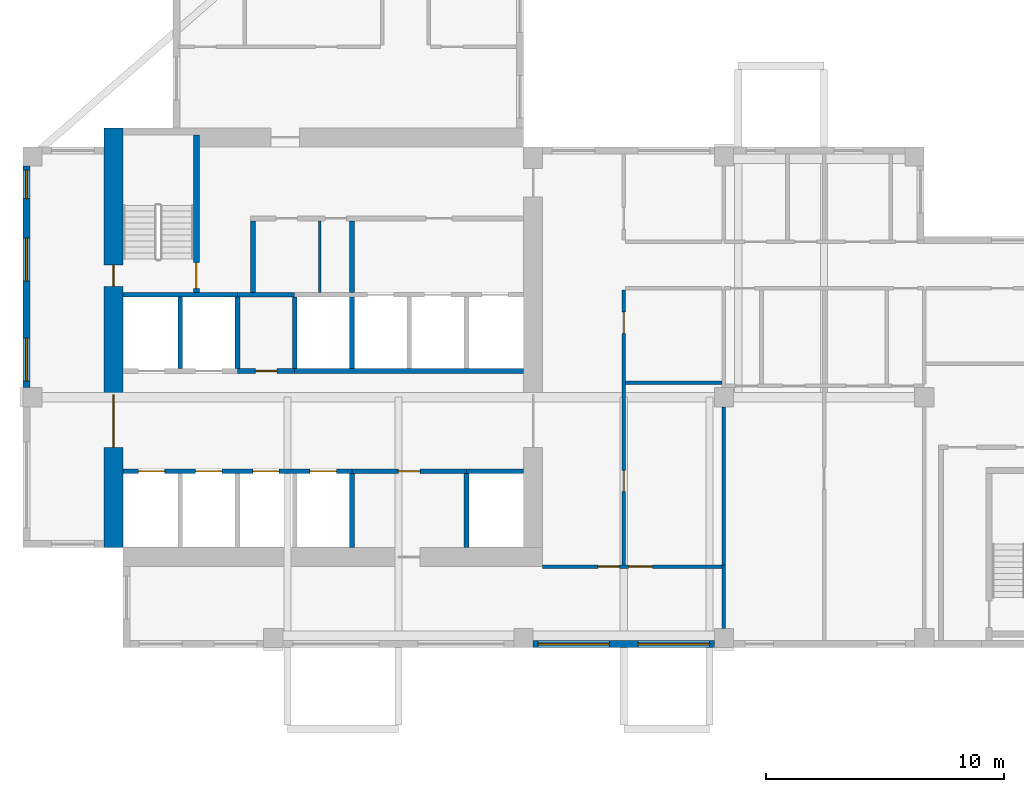
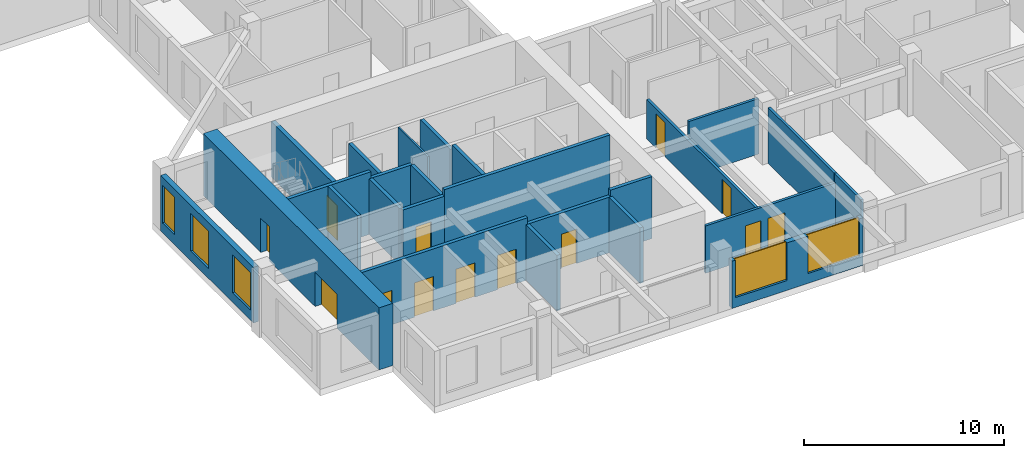
# One storey, part 2 of 11: 25 walls, 13 doors, 5 windows, 18 openings.
"""IFC4 building model written with IfcOpenShell, lengths in metres."""

from ifc_helpers import new_model, si_unit, direction, frame, frame_2d, origin, place, context, subcontext, project, spatial, rectangle, extrude, source, transform, mapped, material, layer, layer_set, type_object, element, fill, save


model = new_model("IFC4")

# Units and contexts
model_context = context("Model", 3, precision=1e-05, world=origin(), true_north=direction((0.0, 1.0)))
body_context = subcontext(model_context, "Body", "Model", "MODEL_VIEW")
ifc_project = project(units=[si_unit("LENGTHUNIT", "METRE"), si_unit("AREAUNIT", "SQUARE_METRE"), si_unit("VOLUMEUNIT", "CUBIC_METRE"), si_unit("PLANEANGLEUNIT", "RADIAN"), si_unit("MASSUNIT", "GRAM", prefix="KILO")], contexts=[model_context])

# Site, building, storey
site_placement = place(None, origin())
site = spatial("IfcSite", under=ifc_project, at=site_placement, CompositionType="ELEMENT")
building_placement = place(site_placement, origin())
building = spatial("IfcBuilding", under=site, at=building_placement, Name="Aurelian Terraces", CompositionType="ELEMENT")
storey_placement = place(building_placement, frame((0.0, 0.0, 227.2)))
storey = spatial("IfcBuildingStorey", under=building, at=storey_placement, Name="L51", CompositionType="ELEMENT", Elevation=227.2)

# Wall, openings, windows
ifc_material_1 = material(Name="Terracotta rainscreen cladding", Category="masonry")
ifc_layer_1 = layer(ifc_material_1, 0.3)
ifc_layer_set_1 = layer_set([ifc_layer_1], Name="EW-300")
wall_type_1 = type_object("IfcWallType", Name="EW-300", PredefinedType="STANDARD", material=ifc_layer_set_1)
wall_1_placement = place(storey_placement, frame((21.4, 0.15, 0.0), z_axis=(0.0, 0.0, 1.0), x_axis=(1.0, 0.0, 0.0)))
wall_1 = element("IfcWall", 1, at=wall_1_placement, inside=storey, type_object=wall_type_1, Name="External wall L51 F01.3", PredefinedType="STANDARD", context=body_context, shape_type="SweptSolid", body=[
    extrude(rectangle(XDim=7.6, YDim=0.3, at=frame_2d((3.8, 0.0))), origin(), (0.0, 0.0, 1.0), 2.9),
])
shared_shape_1 = source(origin(), body_context, "Body", "SweptSolid", [
    extrude(rectangle(XDim=3.0, YDim=2.3, at=frame_2d((1.5, 1.15))), frame((0.0, 0.16, 0.0), z_axis=(0.0, -1.0, 0.0), x_axis=(1.0, 0.0, 0.0)), (0.0, 0.0, 1.0), 0.32),
])
opening_1_placement = place(wall_1_placement, frame((0.2, 0.0, 0.6)))
opening_1 = element("IfcOpeningElement", 2, at=opening_1_placement, cuts=wall_1, Name="Opening W3023", PredefinedType="OPENING", context=body_context, shape_type="MappedRepresentation", body=[
    mapped(shared_shape_1, transform((0.0, 0.0, 0.0), scale=1.0)),
])
opening_2_placement = place(wall_1_placement, frame((4.4, 0.0, 0.6)))
opening_2 = element("IfcOpeningElement", 3, at=opening_2_placement, cuts=wall_1, Name="Opening W3023", PredefinedType="OPENING", context=body_context, shape_type="MappedRepresentation", body=[
    mapped(shared_shape_1, transform((0.0, 0.0, 0.0), scale=1.0)),
])
ifc_material_2 = material(Name="Clear glazing", Category="glass")
window_type_1 = type_object("IfcWindowType", Name="W-3000x2300", PartitioningType="SINGLE_PANEL", PredefinedType="WINDOW", material=ifc_material_2)
shared_shape_2 = source(origin(), body_context, "Body", "SweptSolid", [
    extrude(rectangle(XDim=3.0, YDim=2.3, at=frame_2d((1.5, 1.15))), frame((0.0, 0.03, 0.0), z_axis=(0.0, -1.0, 0.0), x_axis=(1.0, 0.0, 0.0)), (0.0, 0.0, 1.0), 0.06),
])
window_1_placement = place(opening_1_placement, origin())
window_1 = element("IfcWindow", 4, at=window_1_placement, inside=storey, type_object=window_type_1, Name="Window L51 L51-F01-03-0", OverallHeight=2.3, OverallWidth=3.0, PartitioningType="SINGLE_PANEL", PredefinedType="WINDOW", context=body_context, shape_type="MappedRepresentation", body=[
    mapped(shared_shape_2, transform((0.0, 0.0, 0.0), scale=1.0)),
])
fill(opening_1, window_1)
window_2_placement = place(opening_2_placement, origin())
window_2 = element("IfcWindow", 5, at=window_2_placement, inside=storey, type_object=window_type_1, Name="Window L51 L51-F01-03-1", OverallHeight=2.3, OverallWidth=3.0, PartitioningType="SINGLE_PANEL", PredefinedType="WINDOW", context=body_context, shape_type="MappedRepresentation", body=[
    mapped(shared_shape_2, transform((0.0, 0.0, 0.0), scale=1.0)),
])
fill(opening_2, window_2)

wall_2_placement = place(storey_placement, frame((0.15, 20.2, 0.0), z_axis=(0.0, 0.0, 1.0), x_axis=(0.0, -1.0, 0.0)))
wall_2 = element("IfcWall", 6, at=wall_2_placement, inside=storey, type_object=wall_type_1, Name="External wall L51 F20.33", PredefinedType="STANDARD", context=body_context, shape_type="SweptSolid", body=[
    extrude(rectangle(XDim=9.3, YDim=0.3, at=frame_2d((4.65, 0.0))), origin(), (0.0, 0.0, 1.0), 3.4),
])
shared_shape_3 = source(origin(), body_context, "Body", "SweptSolid", [
    extrude(rectangle(XDim=1.2, YDim=2.3, at=frame_2d((0.6, 1.15))), frame((0.0, 0.16, 0.0), z_axis=(0.0, -1.0, 0.0), x_axis=(1.0, 0.0, 0.0)), (0.0, 0.0, 1.0), 0.32),
])
opening_3_placement = place(wall_2_placement, frame((0.175, 0.0, 0.6)))
opening_3 = element("IfcOpeningElement", 7, at=opening_3_placement, cuts=wall_2, Name="Opening W1223", PredefinedType="OPENING", context=body_context, shape_type="MappedRepresentation", body=[
    mapped(shared_shape_3, transform((0.0, 0.0, 0.0), scale=1.0)),
])
shared_shape_4 = source(origin(), body_context, "Body", "SweptSolid", [
    extrude(rectangle(XDim=1.8, YDim=2.3, at=frame_2d((0.9, 1.15))), frame((0.0, 0.16, 0.0), z_axis=(0.0, -1.0, 0.0), x_axis=(1.0, 0.0, 0.0)), (0.0, 0.0, 1.0), 0.32),
])
opening_4_placement = place(wall_2_placement, frame((3.025, 0.0, 0.6)))
opening_4 = element("IfcOpeningElement", 8, at=opening_4_placement, cuts=wall_2, Name="Opening W1823", PredefinedType="OPENING", context=body_context, shape_type="MappedRepresentation", body=[
    mapped(shared_shape_4, transform((0.0, 0.0, 0.0), scale=1.0)),
])
opening_5_placement = place(wall_2_placement, frame((7.225, 0.0, 0.6)))
opening_5 = element("IfcOpeningElement", 9, at=opening_5_placement, cuts=wall_2, Name="Opening W1823", PredefinedType="OPENING", context=body_context, shape_type="MappedRepresentation", body=[
    mapped(shared_shape_4, transform((0.0, 0.0, 0.0), scale=1.0)),
])
window_type_2 = type_object("IfcWindowType", Name="W-1200x2300", PartitioningType="SINGLE_PANEL", PredefinedType="WINDOW", material=ifc_material_2)
shared_shape_5 = source(origin(), body_context, "Body", "SweptSolid", [
    extrude(rectangle(XDim=1.2, YDim=2.3, at=frame_2d((0.6, 1.15))), frame((0.0, 0.03, 0.0), z_axis=(0.0, -1.0, 0.0), x_axis=(1.0, 0.0, 0.0)), (0.0, 0.0, 1.0), 0.06),
])
window_3_placement = place(opening_3_placement, origin())
window_3 = element("IfcWindow", 10, at=window_3_placement, inside=storey, type_object=window_type_2, Name="Window L51 L51-F20-33-0", OverallHeight=2.3, OverallWidth=1.2, PartitioningType="SINGLE_PANEL", PredefinedType="WINDOW", context=body_context, shape_type="MappedRepresentation", body=[
    mapped(shared_shape_5, transform((0.0, 0.0, 0.0), scale=1.0)),
])
fill(opening_3, window_3)
window_type_3 = type_object("IfcWindowType", Name="W-1800x2300", PartitioningType="SINGLE_PANEL", PredefinedType="WINDOW", material=ifc_material_2)
shared_shape_6 = source(origin(), body_context, "Body", "SweptSolid", [
    extrude(rectangle(XDim=1.8, YDim=2.3, at=frame_2d((0.9, 1.15))), frame((0.0, 0.03, 0.0), z_axis=(0.0, -1.0, 0.0), x_axis=(1.0, 0.0, 0.0)), (0.0, 0.0, 1.0), 0.06),
])
window_4_placement = place(opening_4_placement, origin())
window_4 = element("IfcWindow", 11, at=window_4_placement, inside=storey, type_object=window_type_3, Name="Window L51 L51-F20-33-1", OverallHeight=2.3, OverallWidth=1.8, PartitioningType="SINGLE_PANEL", PredefinedType="WINDOW", context=body_context, shape_type="MappedRepresentation", body=[
    mapped(shared_shape_6, transform((0.0, 0.0, 0.0), scale=1.0)),
])
fill(opening_4, window_4)
window_5_placement = place(opening_5_placement, origin())
window_5 = element("IfcWindow", 12, at=window_5_placement, inside=storey, type_object=window_type_3, Name="Window L51 L51-F20-33-2", OverallHeight=2.3, OverallWidth=1.8, PartitioningType="SINGLE_PANEL", PredefinedType="WINDOW", context=body_context, shape_type="MappedRepresentation", body=[
    mapped(shared_shape_6, transform((0.0, 0.0, 0.0), scale=1.0)),
])
fill(opening_5, window_5)

# Walls
ifc_material_3 = material(Name="Gypsum board on steel studs", Category="steel")
ifc_layer_2 = layer(ifc_material_3, 0.15)
ifc_layer_set_2 = layer_set([ifc_layer_2], Name="Fire partition 150")
wall_type_2 = type_object("IfcWallType", Name="Fire partition 150", PredefinedType="PARTITIONING", material=ifc_layer_set_2)
wall_3_placement = place(storey_placement, frame((29.4, 0.799, 0.0), z_axis=(0.0, 0.0, 1.0), x_axis=(0.0, 1.0, 0.0)))
element("IfcWall", 13, at=wall_3_placement, inside=storey, type_object=wall_type_2, Name="Party wall", PredefinedType="PARTITIONING", context=body_context, shape_type="SweptSolid", body=[
    extrude(rectangle(XDim=2.656, YDim=0.15, at=frame_2d((1.328, 0.0))), origin(), (0.0, 0.0, 1.0), 3.4),
])
ifc_layer_3 = layer(ifc_material_3, 0.15)
ifc_layer_set_3 = layer_set([ifc_layer_3], Name="Partition 150")
wall_type_3 = type_object("IfcWallType", Name="Partition 150", PredefinedType="PARTITIONING", material=ifc_layer_set_3)
wall_4_placement = place(storey_placement, frame((29.4, 3.475, 0.0), z_axis=(0.0, 0.0, 1.0), x_axis=(0.0, 1.0, 0.0)))
element("IfcWall", 14, at=wall_4_placement, inside=storey, type_object=wall_type_3, Name="Partition", PredefinedType="PARTITIONING", context=body_context, shape_type="SweptSolid", body=[
    extrude(rectangle(XDim=6.626, YDim=0.15, at=frame_2d((3.313, 0.0))), origin(), (0.0, 0.0, 1.0), 3.4),
])

# Wall, openings, doors
ifc_material_4 = material(Name="Concrete fc' 70 MPa", Category="concrete")
ifc_layer_4 = layer(ifc_material_4, 0.8)
ifc_layer_set_4 = layer_set([ifc_layer_4], Name="CORE WALL 800 FC70")
wall_type_4 = type_object("IfcWallType", Name="CORE WALL 800 FC70", PredefinedType="SHEAR", material=ifc_layer_set_4)
shared_shape_7 = source(origin(), body_context, "Body", "SweptSolid", [
    extrude(rectangle(XDim=17.6, YDim=0.8, at=frame_2d((8.8, 0.0))), origin(), (0.0, 0.0, 1.0), 3.8),
])
wall_5_placement = place(storey_placement, frame((3.8, 4.2, 0.0), z_axis=(0.0, 0.0, 1.0), x_axis=(0.0, 1.0, 0.0)))
wall_5 = element("IfcWall", 15, at=wall_5_placement, inside=storey, type_object=wall_type_4, Name="Core wall W L51", PredefinedType="SHEAR", context=body_context, shape_type="MappedRepresentation", body=[
    mapped(shared_shape_7, transform((0.0, 0.0, 0.0), scale=1.0)),
])
shared_shape_8 = source(origin(), body_context, "Body", "SweptSolid", [
    extrude(rectangle(XDim=2.2, YDim=2.1, at=frame_2d((1.1, 1.05))), frame((0.0, 0.41, 0.0), z_axis=(0.0, -1.0, 0.0), x_axis=(1.0, 0.0, 0.0)), (0.0, 0.0, 1.0), 0.82),
])
opening_6_placement = place(wall_5_placement, frame((4.2, 0.0, 0.0)))
opening_6 = element("IfcOpeningElement", 16, at=opening_6_placement, cuts=wall_5, Name="Opening 65422", PredefinedType="OPENING", context=body_context, shape_type="MappedRepresentation", body=[
    mapped(shared_shape_8, transform((0.0, 0.0, 0.0), scale=1.0)),
])
shared_shape_9 = source(origin(), body_context, "Body", "SweptSolid", [
    extrude(rectangle(XDim=0.9, YDim=2.1, at=frame_2d((0.45, 1.05))), frame((0.0, 0.41, 0.0), z_axis=(0.0, -1.0, 0.0), x_axis=(1.0, 0.0, 0.0)), (0.0, 0.0, 1.0), 0.82),
])
opening_7_placement = place(wall_5_placement, frame((10.95, 0.0, 0.0)))
opening_7 = element("IfcOpeningElement", 17, at=opening_7_placement, cuts=wall_5, Name="Opening 65426", PredefinedType="OPENING", context=body_context, shape_type="MappedRepresentation", body=[
    mapped(shared_shape_9, transform((0.0, 0.0, 0.0), scale=1.0)),
])
ifc_material_5 = material(Name="Steel door leaf", Category="steel")
door_type_1 = type_object("IfcDoorType", Name="Core service door 900x2100 right", OperationType="SINGLE_SWING_RIGHT", PredefinedType="DOOR", material=ifc_material_5)
shared_shape_10 = source(origin(), body_context, "Body", "SweptSolid", [
    extrude(rectangle(XDim=0.9, YDim=2.1, at=frame_2d((0.45, 1.05))), frame((0.0, 0.025, 0.0), z_axis=(0.0, -1.0, 0.0), x_axis=(1.0, 0.0, 0.0)), (0.0, 0.0, 1.0), 0.05),
])
door_1_placement = place(opening_7_placement, origin())
door_1 = element("IfcDoor", 18, at=door_1_placement, inside=storey, type_object=door_type_1, Name="Core door 65426", OperationType="SINGLE_SWING_RIGHT", OverallHeight=2.1, OverallWidth=0.9, PredefinedType="DOOR", context=body_context, shape_type="MappedRepresentation", body=[
    mapped(shared_shape_10, transform((0.0, 0.0, 0.0), scale=1.0)),
])
fill(opening_7, door_1)
door_type_2 = type_object("IfcDoorType", Name="Core double door 2200x2100", OperationType="DOUBLE_DOOR_SINGLE_SWING", PredefinedType="DOOR", material=ifc_material_5)
shared_shape_11 = source(origin(), body_context, "Body", "SweptSolid", [
    extrude(rectangle(XDim=2.2, YDim=2.1, at=frame_2d((1.1, 1.05))), frame((0.0, 0.025, 0.0), z_axis=(0.0, -1.0, 0.0), x_axis=(1.0, 0.0, 0.0)), (0.0, 0.0, 1.0), 0.05),
])
door_2_placement = place(opening_6_placement, origin())
door_2 = element("IfcDoor", 19, at=door_2_placement, inside=storey, type_object=door_type_2, Name="Core door 65422", OperationType="DOUBLE_DOOR_SINGLE_SWING", OverallHeight=2.1, OverallWidth=2.2, PredefinedType="DOOR", context=body_context, shape_type="MappedRepresentation", body=[
    mapped(shared_shape_11, transform((0.0, 0.0, 0.0), scale=1.0)),
])
fill(opening_6, door_2)

# Walls
ifc_material_6 = material(Name="Concrete fc' 40 MPa", Category="concrete")
ifc_layer_5 = layer(ifc_material_6, 0.2)
ifc_layer_set_5 = layer_set([ifc_layer_5], Name="Lift shaft wall 200")
wall_type_5 = type_object("IfcWallType", Name="Lift shaft wall 200", PredefinedType="SOLIDWALL", material=ifc_layer_set_5)
shared_shape_12 = source(origin(), body_context, "Body", "SweptSolid", [
    extrude(rectangle(XDim=3.1, YDim=0.2, at=frame_2d((1.55, 0.0))), origin(), (0.0, 0.0, 1.0), 3.4),
])
for number, where, z_axis, x_axis, name in (
    (20, (13.8, 4.2, 0.0), (0.0, 0.0, 1.0), (0.0, 1.0, 0.0), "L51 core wall CD-A4"),
    (21, (18.6, 4.2, 0.0), (0.0, 0.0, 1.0), (0.0, 1.0, 0.0), "L51 core wall CD-A6"),
):
    element("IfcWall", number, at=place(storey_placement, frame(where, z_axis=z_axis, x_axis=x_axis)), inside=storey, type_object=wall_type_5, Name=name, PredefinedType="SOLIDWALL", context=body_context, shape_type="MappedRepresentation", body=[
        mapped(shared_shape_12, transform((0.0, 0.0, 0.0), scale=1.0)),
    ])
shared_shape_13 = source(origin(), body_context, "Body", "SweptSolid", [
    extrude(rectangle(XDim=3.0, YDim=0.2, at=frame_2d((1.5, 0.0))), origin(), (0.0, 0.0, 1.0), 3.4),
])
for number, where, z_axis, x_axis, name in (
    (22, (9.0, 11.7, 0.0), (0.0, 0.0, 1.0), (0.0, 1.0, 0.0), "L51 core wall CD-B2"),
    (23, (11.4, 11.7, 0.0), (0.0, 0.0, 1.0), (0.0, 1.0, 0.0), "L51 core wall CD-B3"),
):
    element("IfcWall", number, at=place(storey_placement, frame(where, z_axis=z_axis, x_axis=x_axis)), inside=storey, type_object=wall_type_5, Name=name, PredefinedType="SOLIDWALL", context=body_context, shape_type="MappedRepresentation", body=[
        mapped(shared_shape_13, transform((0.0, 0.0, 0.0), scale=1.0)),
    ])
shared_shape_14 = source(origin(), body_context, "Body", "SweptSolid", [
    extrude(rectangle(XDim=3.0, YDim=0.2, at=frame_2d((1.5, 0.0))), origin(), (0.0, 0.0, 1.0), 3.8),
])
for number, where, z_axis, x_axis, name in (
    (24, (6.6, 11.7, 0.0), (0.0, 0.0, 1.0), (0.0, 1.0, 0.0), "L51 core wall CD-B1"),
    (25, (13.8, 11.7, 0.0), (0.0, 0.0, 1.0), (0.0, 1.0, 0.0), "L51 core wall CD-B4"),
):
    element("IfcWall", number, at=place(storey_placement, frame(where, z_axis=z_axis, x_axis=x_axis)), inside=storey, type_object=wall_type_5, Name=name, PredefinedType="SOLIDWALL", context=body_context, shape_type="MappedRepresentation", body=[
        mapped(shared_shape_14, transform((0.0, 0.0, 0.0), scale=1.0)),
    ])

# Wall, openings, doors
shared_shape_15 = source(origin(), body_context, "Body", "SweptSolid", [
    extrude(rectangle(XDim=9.6, YDim=0.2, at=frame_2d((4.8, 0.0))), origin(), (0.0, 0.0, 1.0), 3.8),
])
wall_6_placement = place(storey_placement, frame((4.2, 7.4, 0.0), z_axis=(0.0, 0.0, 1.0), x_axis=(1.0, 0.0, 0.0)))
wall_6 = element("IfcWall", 26, at=wall_6_placement, inside=storey, type_object=wall_type_5, Name="L51 core wall CF-AF1", PredefinedType="SOLIDWALL", context=body_context, shape_type="MappedRepresentation", body=[
    mapped(shared_shape_15, transform((0.0, 0.0, 0.0), scale=1.0)),
])
shared_shape_16 = source(origin(), body_context, "Body", "SweptSolid", [
    extrude(rectangle(XDim=1.1, YDim=2.1, at=frame_2d((0.55, 1.05))), frame((0.0, 0.11, 0.0), z_axis=(0.0, -1.0, 0.0), x_axis=(1.0, 0.0, 0.0)), (0.0, 0.0, 1.0), 0.22),
])
opening_8_placement = place(wall_6_placement, frame((0.65, 0.0, 0.0)))
opening_8 = element("IfcOpeningElement", 27, at=opening_8_placement, cuts=wall_6, Name="Opening 65400", PredefinedType="OPENING", context=body_context, shape_type="MappedRepresentation", body=[
    mapped(shared_shape_16, transform((0.0, 0.0, 0.0), scale=1.0)),
])
opening_9_placement = place(wall_6_placement, frame((3.05, 0.0, 0.0)))
opening_9 = element("IfcOpeningElement", 28, at=opening_9_placement, cuts=wall_6, Name="Opening 65401", PredefinedType="OPENING", context=body_context, shape_type="MappedRepresentation", body=[
    mapped(shared_shape_16, transform((0.0, 0.0, 0.0), scale=1.0)),
])
opening_10_placement = place(wall_6_placement, frame((5.45, 0.0, 0.0)))
opening_10 = element("IfcOpeningElement", 29, at=opening_10_placement, cuts=wall_6, Name="Opening 65402", PredefinedType="OPENING", context=body_context, shape_type="MappedRepresentation", body=[
    mapped(shared_shape_16, transform((0.0, 0.0, 0.0), scale=1.0)),
])
opening_11_placement = place(wall_6_placement, frame((7.85, 0.0, 0.0)))
opening_11 = element("IfcOpeningElement", 30, at=opening_11_placement, cuts=wall_6, Name="Opening 65403", PredefinedType="OPENING", context=body_context, shape_type="MappedRepresentation", body=[
    mapped(shared_shape_16, transform((0.0, 0.0, 0.0), scale=1.0)),
])
ifc_material_7 = material(Name="Stainless steel", Category="steel")
door_type_3 = type_object("IfcDoorType", Name="Lift landing door 1100x2100", OperationType="SLIDING_TO_LEFT", PredefinedType="DOOR", material=ifc_material_7)
shared_shape_17 = source(origin(), body_context, "Body", "SweptSolid", [
    extrude(rectangle(XDim=1.1, YDim=2.1, at=frame_2d((0.55, 1.05))), frame((0.0, 0.025, 0.0), z_axis=(0.0, -1.0, 0.0), x_axis=(1.0, 0.0, 0.0)), (0.0, 0.0, 1.0), 0.05),
])
door_3_placement = place(opening_8_placement, origin())
door_3 = element("IfcDoor", 31, at=door_3_placement, inside=storey, type_object=door_type_3, Name="Lift landing door LM1 L51", OperationType="SLIDING_TO_LEFT", OverallHeight=2.1, OverallWidth=1.1, PredefinedType="DOOR", context=body_context, shape_type="MappedRepresentation", body=[
    mapped(shared_shape_17, transform((0.0, 0.0, 0.0), scale=1.0)),
])
fill(opening_8, door_3)
door_4_placement = place(opening_9_placement, origin())
door_4 = element("IfcDoor", 32, at=door_4_placement, inside=storey, type_object=door_type_3, Name="Lift landing door LM2 L51", OperationType="SLIDING_TO_LEFT", OverallHeight=2.1, OverallWidth=1.1, PredefinedType="DOOR", context=body_context, shape_type="MappedRepresentation", body=[
    mapped(shared_shape_17, transform((0.0, 0.0, 0.0), scale=1.0)),
])
fill(opening_9, door_4)
door_5_placement = place(opening_10_placement, origin())
door_5 = element("IfcDoor", 33, at=door_5_placement, inside=storey, type_object=door_type_3, Name="Lift landing door LM3 L51", OperationType="SLIDING_TO_LEFT", OverallHeight=2.1, OverallWidth=1.1, PredefinedType="DOOR", context=body_context, shape_type="MappedRepresentation", body=[
    mapped(shared_shape_17, transform((0.0, 0.0, 0.0), scale=1.0)),
])
fill(opening_10, door_5)
door_6_placement = place(opening_11_placement, origin())
door_6 = element("IfcDoor", 34, at=door_6_placement, inside=storey, type_object=door_type_3, Name="Lift landing door LM4 L51", OperationType="SLIDING_TO_LEFT", OverallHeight=2.1, OverallWidth=1.1, PredefinedType="DOOR", context=body_context, shape_type="MappedRepresentation", body=[
    mapped(shared_shape_17, transform((0.0, 0.0, 0.0), scale=1.0)),
])
fill(opening_11, door_6)

# Walls
wall_7_placement = place(storey_placement, frame((11.4, 11.6, 0.0), z_axis=(0.0, 0.0, 1.0), x_axis=(1.0, 0.0, 0.0)))
element("IfcWall", 35, at=wall_7_placement, inside=storey, type_object=wall_type_5, Name="L51 core wall CF-BF3", PredefinedType="SOLIDWALL", context=body_context, shape_type="MappedRepresentation", body=[
    mapped(shared_shape_15, transform((0.0, 0.0, 0.0), scale=1.0)),
])
shared_shape_18 = source(origin(), body_context, "Body", "SweptSolid", [
    extrude(rectangle(XDim=4.8, YDim=0.2, at=frame_2d((2.4, 0.0))), origin(), (0.0, 0.0, 1.0), 3.8),
])
wall_8_placement = place(storey_placement, frame((4.2, 14.8, 0.0), z_axis=(0.0, 0.0, 1.0), x_axis=(1.0, 0.0, 0.0)))
element("IfcWall", 36, at=wall_8_placement, inside=storey, type_object=wall_type_5, Name="L51 core wall CF-BB1", PredefinedType="SOLIDWALL", context=body_context, shape_type="MappedRepresentation", body=[
    mapped(shared_shape_18, transform((0.0, 0.0, 0.0), scale=1.0)),
])

# Wall, opening, door
shared_shape_19 = source(origin(), body_context, "Body", "SweptSolid", [
    extrude(rectangle(XDim=2.4, YDim=0.2, at=frame_2d((1.2, 0.0))), origin(), (0.0, 0.0, 1.0), 3.4),
])
wall_9_placement = place(storey_placement, frame((9.0, 11.6, 0.0), z_axis=(0.0, 0.0, 1.0), x_axis=(1.0, 0.0, 0.0)))
wall_9 = element("IfcWall", 37, at=wall_9_placement, inside=storey, type_object=wall_type_5, Name="L51 core wall CF-BF2", PredefinedType="SOLIDWALL", context=body_context, shape_type="MappedRepresentation", body=[
    mapped(shared_shape_19, transform((0.0, 0.0, 0.0), scale=1.0)),
])
shared_shape_20 = source(origin(), body_context, "Body", "SweptSolid", [
    extrude(rectangle(XDim=0.9, YDim=2.1, at=frame_2d((0.45, 1.05))), frame((0.0, 0.11, 0.0), z_axis=(0.0, -1.0, 0.0), x_axis=(1.0, 0.0, 0.0)), (0.0, 0.0, 1.0), 0.22),
])
opening_12_placement = place(wall_9_placement, frame((0.75, 0.0, 0.0)))
opening_12 = element("IfcOpeningElement", 38, at=opening_12_placement, cuts=wall_9, Name="Opening 65407", PredefinedType="OPENING", context=body_context, shape_type="MappedRepresentation", body=[
    mapped(shared_shape_20, transform((0.0, 0.0, 0.0), scale=1.0)),
])
door_7_placement = place(opening_12_placement, origin())
door_7 = element("IfcDoor", 39, at=door_7_placement, inside=storey, type_object=door_type_1, Name="Room door 65407", OperationType="SINGLE_SWING_RIGHT", OverallHeight=2.1, OverallWidth=0.9, PredefinedType="DOOR", context=body_context, shape_type="MappedRepresentation", body=[
    mapped(shared_shape_10, transform((0.0, 0.0, 0.0), scale=1.0)),
])
fill(opening_12, door_7)

# Walls
wall_10_placement = place(storey_placement, frame((9.0, 14.8, 0.0), z_axis=(0.0, 0.0, 1.0), x_axis=(1.0, 0.0, 0.0)))
element("IfcWall", 40, at=wall_10_placement, inside=storey, type_object=wall_type_5, Name="L51 core wall CF-BB2", PredefinedType="SOLIDWALL", context=body_context, shape_type="MappedRepresentation", body=[
    mapped(shared_shape_19, transform((0.0, 0.0, 0.0), scale=1.0)),
])
ifc_layer_6 = layer(ifc_material_3, 0.2)
ifc_layer_set_6 = layer_set([ifc_layer_6], Name="Core partition 200")
wall_type_6 = type_object("IfcWallType", Name="Core partition 200", PredefinedType="PARTITIONING", material=ifc_layer_set_6)
shared_shape_21 = source(origin(), body_context, "Body", "SweptSolid", [
    extrude(rectangle(XDim=3.0, YDim=0.2, at=frame_2d((1.5, 0.0))), origin(), (0.0, 0.0, 1.0), 3.4),
])
for number, where, z_axis, x_axis, name in (
    (41, (9.65, 14.9, 0.0), (0.0, 0.0, 1.0), (0.0, 1.0, 0.0), "L51 core wall CP-VEST"),
    (42, (13.8, 14.9, 0.0), (0.0, 0.0, 1.0), (0.0, 1.0, 0.0), "L51 core wall CP-FFL"),
):
    element("IfcWall", number, at=place(storey_placement, frame(where, z_axis=z_axis, x_axis=x_axis)), inside=storey, type_object=wall_type_6, Name=name, PredefinedType="PARTITIONING", context=body_context, shape_type="MappedRepresentation", body=[
        mapped(shared_shape_21, transform((0.0, 0.0, 0.0), scale=1.0)),
    ])
ifc_layer_7 = layer(ifc_material_3, 0.1)
ifc_layer_set_7 = layer_set([ifc_layer_7], Name="Core partition 100")
wall_type_7 = type_object("IfcWallType", Name="Core partition 100", PredefinedType="PARTITIONING", material=ifc_layer_set_7)
shared_shape_22 = source(origin(), body_context, "Body", "SweptSolid", [
    extrude(rectangle(XDim=3.0, YDim=0.1, at=frame_2d((1.5, 0.0))), origin(), (0.0, 0.0, 1.0), 3.4),
])
wall_11_placement = place(storey_placement, frame((12.45, 14.9, 0.0), z_axis=(0.0, 0.0, 1.0), x_axis=(0.0, 1.0, 0.0)))
element("IfcWall", 43, at=wall_11_placement, inside=storey, type_object=wall_type_7, Name="L51 core wall CP-SV1", PredefinedType="PARTITIONING", context=body_context, shape_type="MappedRepresentation", body=[
    mapped(shared_shape_22, transform((0.0, 0.0, 0.0), scale=1.0)),
])

# Wall, opening, door
shared_shape_23 = source(origin(), body_context, "Body", "SweptSolid", [
    extrude(rectangle(XDim=4.8, YDim=0.2, at=frame_2d((2.4, 0.0))), origin(), (0.0, 0.0, 1.0), 3.4),
])
wall_12_placement = place(storey_placement, frame((13.8, 7.4, 0.0), z_axis=(0.0, 0.0, 1.0), x_axis=(1.0, 0.0, 0.0)))
wall_12 = element("IfcWall", 44, at=wall_12_placement, inside=storey, type_object=wall_type_5, Name="L51 core wall CF-AF2", PredefinedType="SOLIDWALL", context=body_context, shape_type="MappedRepresentation", body=[
    mapped(shared_shape_23, transform((0.0, 0.0, 0.0), scale=1.0)),
])
opening_13_placement = place(wall_12_placement, frame((1.95, 0.0, 0.0)))
opening_13 = element("IfcOpeningElement", 45, at=opening_13_placement, cuts=wall_12, Name="Opening 65404", PredefinedType="OPENING", context=body_context, shape_type="MappedRepresentation", body=[
    mapped(shared_shape_20, transform((0.0, 0.0, 0.0), scale=1.0)),
])
door_type_4 = type_object("IfcDoorType", Name="Core service door 900x2100", OperationType="SINGLE_SWING_LEFT", PredefinedType="DOOR", material=ifc_material_5)
door_8_placement = place(opening_13_placement, origin())
door_8 = element("IfcDoor", 46, at=door_8_placement, inside=storey, type_object=door_type_4, Name="Room door 65404", OperationType="SINGLE_SWING_LEFT", OverallHeight=2.1, OverallWidth=0.9, PredefinedType="DOOR", context=body_context, shape_type="MappedRepresentation", body=[
    mapped(shared_shape_10, transform((0.0, 0.0, 0.0), scale=1.0)),
])
fill(opening_13, door_8)

# Wall
shared_shape_24 = source(origin(), body_context, "Body", "SweptSolid", [
    extrude(rectangle(XDim=2.4, YDim=0.2, at=frame_2d((1.2, 0.0))), origin(), (0.0, 0.0, 1.0), 3.8),
])
wall_13_placement = place(storey_placement, frame((18.6, 7.4, 0.0), z_axis=(0.0, 0.0, 1.0), x_axis=(1.0, 0.0, 0.0)))
element("IfcWall", 47, at=wall_13_placement, inside=storey, type_object=wall_type_5, Name="L51 core wall CF-AF3", PredefinedType="SOLIDWALL", context=body_context, shape_type="MappedRepresentation", body=[
    mapped(shared_shape_24, transform((0.0, 0.0, 0.0), scale=1.0)),
])

# Wall, opening, door
ifc_layer_8 = layer(ifc_material_6, 0.25)
ifc_layer_set_8 = layer_set([ifc_layer_8], Name="Stair enclosure wall 250")
wall_type_8 = type_object("IfcWallType", Name="Stair enclosure wall 250", PredefinedType="SOLIDWALL", material=ifc_layer_set_8)
shared_shape_25 = source(origin(), body_context, "Body", "SweptSolid", [
    extrude(rectangle(XDim=6.6, YDim=0.25, at=frame_2d((3.3, 0.0))), origin(), (0.0, 0.0, 1.0), 3.4),
])
wall_14_placement = place(storey_placement, frame((7.275, 14.9, 0.0), z_axis=(0.0, 0.0, 1.0), x_axis=(0.0, 1.0, 0.0)))
wall_14 = element("IfcWall", 48, at=wall_14_placement, inside=storey, type_object=wall_type_8, Name="L51 core wall ST-S1-E", PredefinedType="SOLIDWALL", context=body_context, shape_type="MappedRepresentation", body=[
    mapped(shared_shape_25, transform((0.0, 0.0, 0.0), scale=1.0)),
])
shared_shape_26 = source(origin(), body_context, "Body", "SweptSolid", [
    extrude(rectangle(XDim=1.1, YDim=2.1, at=frame_2d((0.55, 1.05))), frame((0.0, 0.135, 0.0), z_axis=(0.0, -1.0, 0.0), x_axis=(1.0, 0.0, 0.0)), (0.0, 0.0, 1.0), 0.27),
])
opening_14_placement = place(wall_14_placement, frame((0.15, 0.0, 0.0)))
opening_14 = element("IfcOpeningElement", 49, at=opening_14_placement, cuts=wall_14, Name="Opening 65411", PredefinedType="OPENING", context=body_context, shape_type="MappedRepresentation", body=[
    mapped(shared_shape_26, transform((0.0, 0.0, 0.0), scale=1.0)),
])
door_type_5 = type_object("IfcDoorType", Name="Core fire door 1100x2100 right", OperationType="SINGLE_SWING_RIGHT", PredefinedType="DOOR", material=ifc_material_5)
door_9_placement = place(opening_14_placement, origin())
door_9 = element("IfcDoor", 50, at=door_9_placement, inside=storey, type_object=door_type_5, Name="Stair door 65411", OperationType="SINGLE_SWING_RIGHT", OverallHeight=2.1, OverallWidth=1.1, PredefinedType="DOOR", context=body_context, shape_type="MappedRepresentation", body=[
    mapped(shared_shape_17, transform((0.0, 0.0, 0.0), scale=1.0)),
])
fill(opening_14, door_9)

# Wall, openings, doors
shared_shape_27 = source(origin(), body_context, "Body", "SweptSolid", [
    extrude(rectangle(XDim=11.525, YDim=0.15, at=frame_2d((5.7625, 0.0))), origin(), (0.0, 0.0, 1.0), 2.4),
])
wall_15_placement = place(storey_placement, frame((25.2, 15.0, 0.0), z_axis=(0.0, 0.0, 1.0), x_axis=(0.0, -1.0, 0.0)))
wall_15 = element("IfcWall", 51, at=wall_15_placement, inside=storey, type_object=wall_type_3, Name="Partition", PredefinedType="PARTITIONING", context=body_context, shape_type="MappedRepresentation", body=[
    mapped(shared_shape_27, transform((0.0, 0.0, 0.0), scale=1.0)),
])
shared_shape_28 = source(origin(), body_context, "Body", "SweptSolid", [
    extrude(rectangle(XDim=0.9, YDim=2.1, at=frame_2d((0.45, 1.05))), frame((0.0, 0.085, 0.0), z_axis=(0.0, -1.0, 0.0), x_axis=(1.0, 0.0, 0.0)), (0.0, 0.0, 1.0), 0.17),
])
opening_15_placement = place(wall_15_placement, frame((7.5625, 0.0, 0.0)))
opening_15 = element("IfcOpeningElement", 52, at=opening_15_placement, cuts=wall_15, Name="Opening 751001", PredefinedType="OPENING", context=body_context, shape_type="MappedRepresentation", body=[
    mapped(shared_shape_28, transform((0.0, 0.0, 0.0), scale=1.0)),
])
opening_16_placement = place(wall_15_placement, frame((0.925, 0.0, 0.0)))
opening_16 = element("IfcOpeningElement", 53, at=opening_16_placement, cuts=wall_15, Name="Opening 751002", PredefinedType="OPENING", context=body_context, shape_type="MappedRepresentation", body=[
    mapped(shared_shape_28, transform((0.0, 0.0, 0.0), scale=1.0)),
])
ifc_material_8 = material(Name="Timber door leaf", Category="wood")
door_type_6 = type_object("IfcDoorType", Name="Room door 900x2100 right", OperationType="SINGLE_SWING_RIGHT", PredefinedType="DOOR", material=ifc_material_8)
door_10_placement = place(opening_15_placement, origin())
door_10 = element("IfcDoor", 54, at=door_10_placement, inside=storey, type_object=door_type_6, Name="Door 751001", OperationType="SINGLE_SWING_RIGHT", OverallHeight=2.1, OverallWidth=0.9, PredefinedType="DOOR", context=body_context, shape_type="MappedRepresentation", body=[
    mapped(shared_shape_10, transform((0.0, 0.0, 0.0), scale=1.0)),
])
fill(opening_15, door_10)
door_type_7 = type_object("IfcDoorType", Name="Room door 900x2100 left", OperationType="SINGLE_SWING_LEFT", PredefinedType="DOOR", material=ifc_material_8)
door_11_placement = place(opening_16_placement, origin())
door_11 = element("IfcDoor", 55, at=door_11_placement, inside=storey, type_object=door_type_7, Name="Door 751002", OperationType="SINGLE_SWING_LEFT", OverallHeight=2.1, OverallWidth=0.9, PredefinedType="DOOR", context=body_context, shape_type="MappedRepresentation", body=[
    mapped(shared_shape_10, transform((0.0, 0.0, 0.0), scale=1.0)),
])
fill(opening_16, door_11)

shared_shape_29 = source(origin(), body_context, "Body", "SweptSolid", [
    extrude(rectangle(XDim=7.525, YDim=0.15, at=frame_2d((3.7625, 0.0))), origin(), (0.0, 0.0, 1.0), 2.9),
])
wall_16_placement = place(storey_placement, frame((21.8, 3.4, 0.0), z_axis=(0.0, 0.0, 1.0), x_axis=(1.0, 0.0, 0.0)))
wall_16 = element("IfcWall", 56, at=wall_16_placement, inside=storey, type_object=wall_type_3, Name="Partition", PredefinedType="PARTITIONING", context=body_context, shape_type="MappedRepresentation", body=[
    mapped(shared_shape_29, transform((0.0, 0.0, 0.0), scale=1.0)),
])
shared_shape_30 = source(origin(), body_context, "Body", "SweptSolid", [
    extrude(rectangle(XDim=1.0, YDim=2.1, at=frame_2d((0.5, 1.05))), frame((0.0, 0.085, 0.0), z_axis=(0.0, -1.0, 0.0), x_axis=(1.0, 0.0, 0.0)), (0.0, 0.0, 1.0), 0.17),
])
opening_17_placement = place(wall_16_placement, frame((3.6, 0.0, 0.0)))
opening_17 = element("IfcOpeningElement", 57, at=opening_17_placement, cuts=wall_16, Name="Opening 751004", PredefinedType="OPENING", context=body_context, shape_type="MappedRepresentation", body=[
    mapped(shared_shape_30, transform((0.0, 0.0, 0.0), scale=1.0)),
])
opening_18_placement = place(wall_16_placement, frame((2.312, 0.0, 0.0)))
opening_18 = element("IfcOpeningElement", 58, at=opening_18_placement, cuts=wall_16, Name="Opening 751039", PredefinedType="OPENING", context=body_context, shape_type="MappedRepresentation", body=[
    mapped(shared_shape_28, transform((0.0, 0.0, 0.0), scale=1.0)),
])
door_type_8 = type_object("IfcDoorType", Name="Room door 1000x2100 left", OperationType="SINGLE_SWING_LEFT", PredefinedType="DOOR", material=ifc_material_8)
shared_shape_31 = source(origin(), body_context, "Body", "SweptSolid", [
    extrude(rectangle(XDim=1.0, YDim=2.1, at=frame_2d((0.5, 1.05))), frame((0.0, 0.025, 0.0), z_axis=(0.0, -1.0, 0.0), x_axis=(1.0, 0.0, 0.0)), (0.0, 0.0, 1.0), 0.05),
])
door_12_placement = place(opening_17_placement, origin())
door_12 = element("IfcDoor", 59, at=door_12_placement, inside=storey, type_object=door_type_8, Name="Door 751004", OperationType="SINGLE_SWING_LEFT", OverallHeight=2.1, OverallWidth=1.0, PredefinedType="DOOR", context=body_context, shape_type="MappedRepresentation", body=[
    mapped(shared_shape_31, transform((0.0, 0.0, 0.0), scale=1.0)),
])
fill(opening_17, door_12)
door_13_placement = place(opening_18_placement, origin())
door_13 = element("IfcDoor", 60, at=door_13_placement, inside=storey, type_object=door_type_7, Name="Door 751039", OperationType="SINGLE_SWING_LEFT", OverallHeight=2.1, OverallWidth=0.9, PredefinedType="DOOR", context=body_context, shape_type="MappedRepresentation", body=[
    mapped(shared_shape_10, transform((0.0, 0.0, 0.0), scale=1.0)),
])
fill(opening_18, door_13)

# Wall
shared_shape_32 = source(origin(), body_context, "Body", "SweptSolid", [
    extrude(rectangle(XDim=4.05, YDim=0.15, at=frame_2d((2.025, 0.0))), origin(), (0.0, 0.0, 1.0), 3.4),
])
wall_17_placement = place(storey_placement, frame((29.325, 11.1, 0.0), z_axis=(0.0, 0.0, 1.0), x_axis=(-1.0, 0.0, 0.0)))
element("IfcWall", 61, at=wall_17_placement, inside=storey, type_object=wall_type_3, Name="Partition", PredefinedType="PARTITIONING", context=body_context, shape_type="MappedRepresentation", body=[
    mapped(shared_shape_32, transform((0.0, 0.0, 0.0), scale=1.0)),
])

save(model, "model.ifc")
